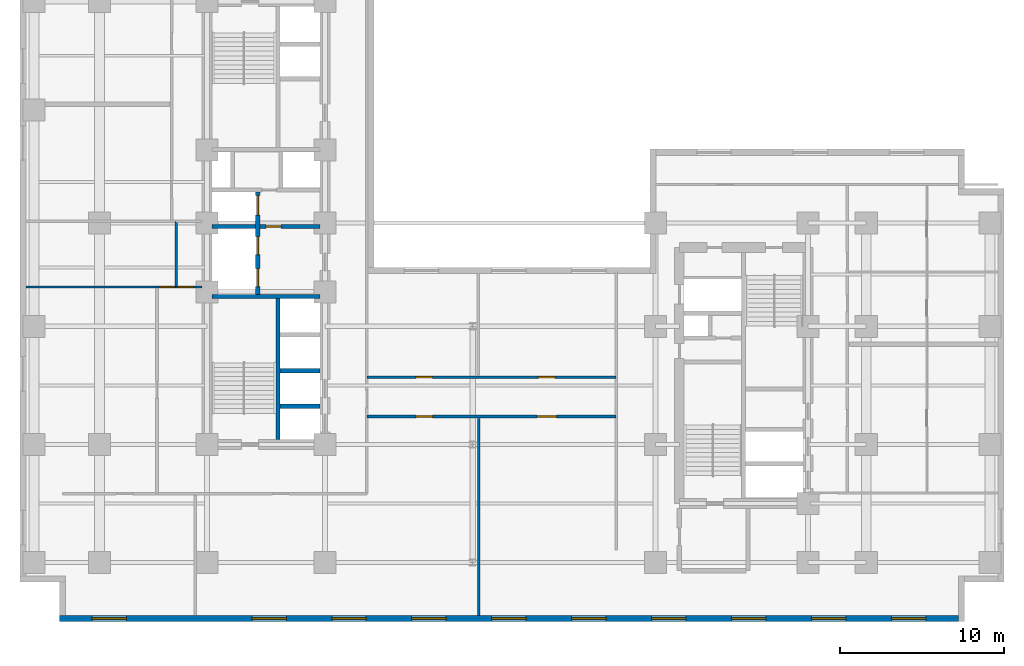
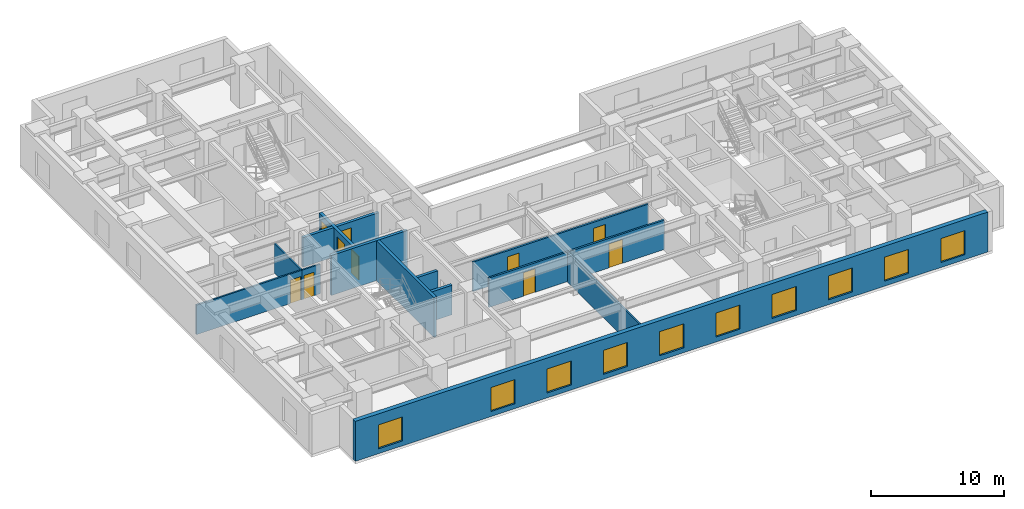
# One storey, part 3 of 9: 13 walls, 10 doors, 10 windows, 20 openings.
"""IFC4 building model written with IfcOpenShell, lengths in metres."""

from ifc_helpers import new_model, entity, si_unit, converted_unit, direction, frame, origin_with_axes, origin_2d_with_axis, place, context, subcontext, project, spatial, polyline, rectangle, outline, extrude, material, layer, layer_set, type_object, element, fill, save


model = new_model("IFC4")

# Units and contexts
model_context = context("Model", 3, precision=1e-05, world=origin_with_axes(), true_north=direction((0.0, 1.0)))
body_context = subcontext(model_context, "Body", "Model", "MODEL_VIEW")
ifc_project = project(units=[si_unit("LENGTHUNIT", "METRE"), si_unit("AREAUNIT", "SQUARE_METRE"), si_unit("VOLUMEUNIT", "CUBIC_METRE"), converted_unit("PLANEANGLEUNIT", "DEGREE", entity("IfcPlaneAngleMeasure", 0.017453292519943295), si_unit("PLANEANGLEUNIT", "RADIAN"), dimensions=[0, 0, 0, 0, 0, 0, 0]), si_unit("MASSUNIT", "GRAM", prefix="KILO"), si_unit("THERMODYNAMICTEMPERATUREUNIT", "KELVIN")], contexts=[model_context])

# Site, building, storey
site_placement = place(None, origin_with_axes())
site = spatial("IfcSite", under=ifc_project, at=site_placement, CompositionType="ELEMENT")
building_placement = place(site_placement, origin_with_axes())
building = spatial("IfcBuilding", under=site, at=building_placement, Name="Varnlund Millrace Tower", CompositionType="ELEMENT")
storey_placement = place(building_placement, frame((0.0, 0.0, 36.6), z_axis=(0.0, 0.0, 1.0), x_axis=(1.0, 0.0, 0.0)))
storey = spatial("IfcBuildingStorey", under=building, at=storey_placement, Name="L08", CompositionType="ELEMENT", Elevation=36.6)

# Wall, openings, windows
ifc_material_1 = material(Name="Precast concrete C50/60", Category="concrete")
ifc_layer_1 = layer(ifc_material_1, 0.38, Name="Precast concrete C50/60")
ifc_layer_set_1 = layer_set([ifc_layer_1], Name="Precast concrete C50/60")
wall_type_1 = type_object("IfcWallType", Name="Type-ExtWall-Precast-Tube-380", PredefinedType="SOLIDWALL", material=ifc_layer_set_1)
wall_1_placement = place(storey_placement, frame((57.22, 0.19, 0.0), z_axis=(0.0, 0.0, 1.0), x_axis=(-1.0, 0.0, 0.0)))
wall_1 = element("IfcWall", 1, at=wall_1_placement, inside=storey, type_object=wall_type_1, Name="Type-ExtWall-Precast-Tube-380", PredefinedType="SOLIDWALL", context=body_context, shape_type="SweptSolid", body=[
    extrude(outline(polyline([(0.0, -0.19), (54.82, -0.19), (54.82, 0.19), (0.0, 0.19), (0.0, -0.19)])), origin_with_axes(), (0.0, 0.0, 1.0), 3.66),
])
opening_1_placement = place(wall_1_placement, frame((3.037, 0.0, 0.45), z_axis=(0.0, 0.0, 1.0), x_axis=(1.0, 0.0, 0.0)))
opening_1 = element("IfcOpeningElement", 2, at=opening_1_placement, cuts=wall_1, Name="Opening L08:WN-05", PredefinedType="OPENING", context=body_context, shape_type="SweptSolid", body=[
    extrude(rectangle(XDim=2.1, YDim=0.4, at=origin_2d_with_axis()), origin_with_axes(), (0.0, 0.0, 1.0), 2.2),
])
opening_2_placement = place(wall_1_placement, frame((7.912, 0.0, 0.45), z_axis=(0.0, 0.0, 1.0), x_axis=(1.0, 0.0, 0.0)))
opening_2 = element("IfcOpeningElement", 3, at=opening_2_placement, cuts=wall_1, Name="Opening L08:WN-06", PredefinedType="OPENING", context=body_context, shape_type="SweptSolid", body=[
    extrude(rectangle(XDim=2.1, YDim=0.4, at=origin_2d_with_axis()), origin_with_axes(), (0.0, 0.0, 1.0), 2.2),
])
opening_3_placement = place(wall_1_placement, frame((12.786, 0.0, 0.45), z_axis=(0.0, 0.0, 1.0), x_axis=(1.0, 0.0, 0.0)))
opening_3 = element("IfcOpeningElement", 4, at=opening_3_placement, cuts=wall_1, Name="Opening L08:WN-07", PredefinedType="OPENING", context=body_context, shape_type="SweptSolid", body=[
    extrude(rectangle(XDim=2.1, YDim=0.4, at=origin_2d_with_axis()), origin_with_axes(), (0.0, 0.0, 1.0), 2.2),
])
opening_4_placement = place(wall_1_placement, frame((17.661, 0.0, 0.45), z_axis=(0.0, 0.0, 1.0), x_axis=(1.0, 0.0, 0.0)))
opening_4 = element("IfcOpeningElement", 5, at=opening_4_placement, cuts=wall_1, Name="Opening L08:WN-08", PredefinedType="OPENING", context=body_context, shape_type="SweptSolid", body=[
    extrude(rectangle(XDim=2.1, YDim=0.4, at=origin_2d_with_axis()), origin_with_axes(), (0.0, 0.0, 1.0), 2.2),
])
opening_5_placement = place(wall_1_placement, frame((22.535, 0.0, 0.45), z_axis=(0.0, 0.0, 1.0), x_axis=(1.0, 0.0, 0.0)))
opening_5 = element("IfcOpeningElement", 6, at=opening_5_placement, cuts=wall_1, Name="Opening L08:WN-09", PredefinedType="OPENING", context=body_context, shape_type="SweptSolid", body=[
    extrude(rectangle(XDim=2.1, YDim=0.4, at=origin_2d_with_axis()), origin_with_axes(), (0.0, 0.0, 1.0), 2.2),
])
opening_6_placement = place(wall_1_placement, frame((27.41, 0.0, 0.45), z_axis=(0.0, 0.0, 1.0), x_axis=(1.0, 0.0, 0.0)))
opening_6 = element("IfcOpeningElement", 7, at=opening_6_placement, cuts=wall_1, Name="Opening L08:WN-10", PredefinedType="OPENING", context=body_context, shape_type="SweptSolid", body=[
    extrude(rectangle(XDim=2.1, YDim=0.4, at=origin_2d_with_axis()), origin_with_axes(), (0.0, 0.0, 1.0), 2.2),
])
opening_7_placement = place(wall_1_placement, frame((32.285, 0.0, 0.45), z_axis=(0.0, 0.0, 1.0), x_axis=(1.0, 0.0, 0.0)))
opening_7 = element("IfcOpeningElement", 8, at=opening_7_placement, cuts=wall_1, Name="Opening L08:WN-11", PredefinedType="OPENING", context=body_context, shape_type="SweptSolid", body=[
    extrude(rectangle(XDim=2.1, YDim=0.4, at=origin_2d_with_axis()), origin_with_axes(), (0.0, 0.0, 1.0), 2.2),
])
opening_8_placement = place(wall_1_placement, frame((37.159, 0.0, 0.45), z_axis=(0.0, 0.0, 1.0), x_axis=(1.0, 0.0, 0.0)))
opening_8 = element("IfcOpeningElement", 9, at=opening_8_placement, cuts=wall_1, Name="Opening L08:WN-12", PredefinedType="OPENING", context=body_context, shape_type="SweptSolid", body=[
    extrude(rectangle(XDim=2.1, YDim=0.4, at=origin_2d_with_axis()), origin_with_axes(), (0.0, 0.0, 1.0), 2.2),
])
opening_9_placement = place(wall_1_placement, frame((42.034, 0.0, 0.45), z_axis=(0.0, 0.0, 1.0), x_axis=(1.0, 0.0, 0.0)))
opening_9 = element("IfcOpeningElement", 10, at=opening_9_placement, cuts=wall_1, Name="Opening L08:WN-13", PredefinedType="OPENING", context=body_context, shape_type="SweptSolid", body=[
    extrude(rectangle(XDim=2.1, YDim=0.4, at=origin_2d_with_axis()), origin_with_axes(), (0.0, 0.0, 1.0), 2.2),
])
opening_10_placement = place(wall_1_placement, frame((51.783, 0.0, 0.45), z_axis=(0.0, 0.0, 1.0), x_axis=(1.0, 0.0, 0.0)))
opening_10 = element("IfcOpeningElement", 11, at=opening_10_placement, cuts=wall_1, Name="Opening L08:WN-14", PredefinedType="OPENING", context=body_context, shape_type="SweptSolid", body=[
    extrude(rectangle(XDim=2.1, YDim=0.4, at=origin_2d_with_axis()), origin_with_axes(), (0.0, 0.0, 1.0), 2.2),
])
ifc_material_2 = material(Name="Argon low-e triple glazing in thermally broken bronze frame", Category="glass")
window_type = type_object("IfcWindowType", Name="Type-Window-Punched-2100X2200", PartitioningType="SINGLE_PANEL", PredefinedType="WINDOW", material=ifc_material_2)
window_1_placement = place(wall_1_placement, frame((3.037, 0.0, 0.45), z_axis=(0.0, 0.0, 1.0), x_axis=(1.0, 0.0, 0.0)))
window_1 = element("IfcWindow", 12, at=window_1_placement, inside=storey, type_object=window_type, Name="Type-Window-Punched-2100X2200", OverallHeight=2.2, OverallWidth=2.1, PredefinedType="WINDOW", context=body_context, shape_type="SweptSolid", body=[
    extrude(rectangle(XDim=2.1, YDim=0.09, at=origin_2d_with_axis()), origin_with_axes(), (0.0, 0.0, 1.0), 2.2),
])
fill(opening_1, window_1)
window_2_placement = place(wall_1_placement, frame((7.912, 0.0, 0.45), z_axis=(0.0, 0.0, 1.0), x_axis=(1.0, 0.0, 0.0)))
window_2 = element("IfcWindow", 13, at=window_2_placement, inside=storey, type_object=window_type, Name="Type-Window-Punched-2100X2200", OverallHeight=2.2, OverallWidth=2.1, PredefinedType="WINDOW", context=body_context, shape_type="SweptSolid", body=[
    extrude(rectangle(XDim=2.1, YDim=0.09, at=origin_2d_with_axis()), origin_with_axes(), (0.0, 0.0, 1.0), 2.2),
])
fill(opening_2, window_2)
window_3_placement = place(wall_1_placement, frame((12.786, 0.0, 0.45), z_axis=(0.0, 0.0, 1.0), x_axis=(1.0, 0.0, 0.0)))
window_3 = element("IfcWindow", 14, at=window_3_placement, inside=storey, type_object=window_type, Name="Type-Window-Punched-2100X2200", OverallHeight=2.2, OverallWidth=2.1, PredefinedType="WINDOW", context=body_context, shape_type="SweptSolid", body=[
    extrude(rectangle(XDim=2.1, YDim=0.09, at=origin_2d_with_axis()), origin_with_axes(), (0.0, 0.0, 1.0), 2.2),
])
fill(opening_3, window_3)
window_4_placement = place(wall_1_placement, frame((17.661, 0.0, 0.45), z_axis=(0.0, 0.0, 1.0), x_axis=(1.0, 0.0, 0.0)))
window_4 = element("IfcWindow", 15, at=window_4_placement, inside=storey, type_object=window_type, Name="Type-Window-Punched-2100X2200", OverallHeight=2.2, OverallWidth=2.1, PredefinedType="WINDOW", context=body_context, shape_type="SweptSolid", body=[
    extrude(rectangle(XDim=2.1, YDim=0.09, at=origin_2d_with_axis()), origin_with_axes(), (0.0, 0.0, 1.0), 2.2),
])
fill(opening_4, window_4)
window_5_placement = place(wall_1_placement, frame((22.535, 0.0, 0.45), z_axis=(0.0, 0.0, 1.0), x_axis=(1.0, 0.0, 0.0)))
window_5 = element("IfcWindow", 16, at=window_5_placement, inside=storey, type_object=window_type, Name="Type-Window-Punched-2100X2200", OverallHeight=2.2, OverallWidth=2.1, PredefinedType="WINDOW", context=body_context, shape_type="SweptSolid", body=[
    extrude(rectangle(XDim=2.1, YDim=0.09, at=origin_2d_with_axis()), origin_with_axes(), (0.0, 0.0, 1.0), 2.2),
])
fill(opening_5, window_5)
window_6_placement = place(wall_1_placement, frame((27.41, 0.0, 0.45), z_axis=(0.0, 0.0, 1.0), x_axis=(1.0, 0.0, 0.0)))
window_6 = element("IfcWindow", 17, at=window_6_placement, inside=storey, type_object=window_type, Name="Type-Window-Punched-2100X2200", OverallHeight=2.2, OverallWidth=2.1, PredefinedType="WINDOW", context=body_context, shape_type="SweptSolid", body=[
    extrude(rectangle(XDim=2.1, YDim=0.09, at=origin_2d_with_axis()), origin_with_axes(), (0.0, 0.0, 1.0), 2.2),
])
fill(opening_6, window_6)
window_7_placement = place(wall_1_placement, frame((32.285, 0.0, 0.45), z_axis=(0.0, 0.0, 1.0), x_axis=(1.0, 0.0, 0.0)))
window_7 = element("IfcWindow", 18, at=window_7_placement, inside=storey, type_object=window_type, Name="Type-Window-Punched-2100X2200", OverallHeight=2.2, OverallWidth=2.1, PredefinedType="WINDOW", context=body_context, shape_type="SweptSolid", body=[
    extrude(rectangle(XDim=2.1, YDim=0.09, at=origin_2d_with_axis()), origin_with_axes(), (0.0, 0.0, 1.0), 2.2),
])
fill(opening_7, window_7)
window_8_placement = place(wall_1_placement, frame((37.159, 0.0, 0.45), z_axis=(0.0, 0.0, 1.0), x_axis=(1.0, 0.0, 0.0)))
window_8 = element("IfcWindow", 19, at=window_8_placement, inside=storey, type_object=window_type, Name="Type-Window-Punched-2100X2200", OverallHeight=2.2, OverallWidth=2.1, PredefinedType="WINDOW", context=body_context, shape_type="SweptSolid", body=[
    extrude(rectangle(XDim=2.1, YDim=0.09, at=origin_2d_with_axis()), origin_with_axes(), (0.0, 0.0, 1.0), 2.2),
])
fill(opening_8, window_8)
window_9_placement = place(wall_1_placement, frame((42.034, 0.0, 0.45), z_axis=(0.0, 0.0, 1.0), x_axis=(1.0, 0.0, 0.0)))
window_9 = element("IfcWindow", 20, at=window_9_placement, inside=storey, type_object=window_type, Name="Type-Window-Punched-2100X2200", OverallHeight=2.2, OverallWidth=2.1, PredefinedType="WINDOW", context=body_context, shape_type="SweptSolid", body=[
    extrude(rectangle(XDim=2.1, YDim=0.09, at=origin_2d_with_axis()), origin_with_axes(), (0.0, 0.0, 1.0), 2.2),
])
fill(opening_9, window_9)
window_10_placement = place(wall_1_placement, frame((51.783, 0.0, 0.45), z_axis=(0.0, 0.0, 1.0), x_axis=(1.0, 0.0, 0.0)))
window_10 = element("IfcWindow", 21, at=window_10_placement, inside=storey, type_object=window_type, Name="Type-Window-Punched-2100X2200", OverallHeight=2.2, OverallWidth=2.1, PredefinedType="WINDOW", context=body_context, shape_type="SweptSolid", body=[
    extrude(rectangle(XDim=2.1, YDim=0.09, at=origin_2d_with_axis()), origin_with_axes(), (0.0, 0.0, 1.0), 2.2),
])
fill(opening_10, window_10)

# Wall, openings, doors
ifc_material_3 = material(Name="Fire-rated gypsum board on cold-formed steel framing", Category="steel")
ifc_layer_2 = layer(ifc_material_3, 0.16, Name="Fire-rated gypsum board on cold-formed steel framing")
ifc_layer_set_2 = layer_set([ifc_layer_2], Name="Fire-rated gypsum board on cold-formed steel framing")
wall_type_2 = type_object("IfcWallType", Name="Type-Partition-Corridor-160", PredefinedType="PARTITIONING", material=ifc_layer_set_2)
wall_2_placement = place(storey_placement, frame((21.15, 12.5, 0.0), z_axis=(0.0, 0.0, 1.0), x_axis=(1.0, 0.0, 0.0)))
wall_2 = element("IfcWall", 22, at=wall_2_placement, inside=storey, type_object=wall_type_2, Name="Type-Partition-Corridor-160", PredefinedType="PARTITIONING", context=body_context, shape_type="SweptSolid", body=[
    extrude(outline(polyline([(0.0, -0.08), (15.2, -0.08), (15.2, 0.08), (0.0, 0.08), (0.0, -0.08)])), origin_with_axes(), (0.0, 0.0, 1.0), 2.7),
])
opening_11_placement = place(wall_2_placement, frame((3.508, 0.0, 0.0), z_axis=(0.0, 0.0, 1.0), x_axis=(1.0, 0.0, 0.0)))
opening_11 = element("IfcOpeningElement", 23, at=opening_11_placement, cuts=wall_2, Name="Opening L08:DR-KNS-01", PredefinedType="OPENING", context=body_context, shape_type="SweptSolid", body=[
    extrude(rectangle(XDim=1.0, YDim=0.18, at=origin_2d_with_axis()), origin_with_axes(), (0.0, 0.0, 1.0), 2.15),
])
opening_12_placement = place(wall_2_placement, frame((10.978, 0.0, 0.0), z_axis=(0.0, 0.0, 1.0), x_axis=(1.0, 0.0, 0.0)))
opening_12 = element("IfcOpeningElement", 24, at=opening_12_placement, cuts=wall_2, Name="Opening L08:DR-KNS-02", PredefinedType="OPENING", context=body_context, shape_type="SweptSolid", body=[
    extrude(rectangle(XDim=1.2, YDim=0.18, at=origin_2d_with_axis()), origin_with_axes(), (0.0, 0.0, 1.0), 2.2),
])
ifc_material_4 = material(Name="Wide executive white oak acoustic door")
door_type_1 = type_object("IfcDoorType", Name="Type-IntDoor-Exec-1200X2200", OperationType="NOTDEFINED", PredefinedType="DOOR", material=ifc_material_4)
door_1_placement = place(wall_2_placement, frame((10.978, 0.0, 0.0), z_axis=(0.0, 0.0, 1.0), x_axis=(1.0, 0.0, 0.0)))
door_1 = element("IfcDoor", 25, at=door_1_placement, inside=storey, type_object=door_type_1, Name="Type-IntDoor-Exec-1200X2200", OperationType="SINGLE_SWING_RIGHT", OverallHeight=2.2, OverallWidth=1.2, PredefinedType="DOOR", context=body_context, shape_type="SweptSolid", body=[
    extrude(rectangle(XDim=1.2, YDim=0.09, at=origin_2d_with_axis()), origin_with_axes(), (0.0, 0.0, 1.0), 2.2),
])
fill(opening_12, door_1)
ifc_material_5 = material(Name="Solid-core white oak and bronze frame door")
door_type_2 = type_object("IfcDoorType", Name="Type-IntDoor-Office-1000X2150", OperationType="NOTDEFINED", PredefinedType="DOOR", material=ifc_material_5)
door_2_placement = place(wall_2_placement, frame((3.508, 0.0, 0.0), z_axis=(0.0, 0.0, 1.0), x_axis=(1.0, 0.0, 0.0)))
door_2 = element("IfcDoor", 26, at=door_2_placement, inside=storey, type_object=door_type_2, Name="Type-IntDoor-Office-1000X2150", OperationType="SINGLE_SWING_LEFT", OverallHeight=2.15, OverallWidth=1.0, PredefinedType="DOOR", context=body_context, shape_type="SweptSolid", body=[
    extrude(rectangle(XDim=1.0, YDim=0.09, at=origin_2d_with_axis()), origin_with_axes(), (0.0, 0.0, 1.0), 2.15),
])
fill(opening_11, door_2)

wall_3_placement = place(storey_placement, frame((21.15, 14.9, 0.0), z_axis=(0.0, 0.0, 1.0), x_axis=(1.0, 0.0, 0.0)))
wall_3 = element("IfcWall", 27, at=wall_3_placement, inside=storey, type_object=wall_type_2, Name="Type-Partition-Corridor-160", PredefinedType="PARTITIONING", context=body_context, shape_type="SweptSolid", body=[
    extrude(outline(polyline([(0.0, -0.08), (15.2, -0.08), (15.2, 0.08), (0.0, 0.08), (0.0, -0.08)])), origin_with_axes(), (0.0, 0.0, 1.0), 2.7),
])
opening_13_placement = place(wall_3_placement, frame((3.4895, 0.0, 0.0), z_axis=(0.0, 0.0, 1.0), x_axis=(1.0, 0.0, 0.0)))
opening_13 = element("IfcOpeningElement", 28, at=opening_13_placement, cuts=wall_3, Name="Opening L08:DR-KN-01", PredefinedType="OPENING", context=body_context, shape_type="SweptSolid", body=[
    extrude(rectangle(XDim=1.0, YDim=0.18, at=origin_2d_with_axis()), origin_with_axes(), (0.0, 0.0, 1.0), 2.15),
])
opening_14_placement = place(wall_3_placement, frame((10.9595, 0.0, 0.0), z_axis=(0.0, 0.0, 1.0), x_axis=(1.0, 0.0, 0.0)))
opening_14 = element("IfcOpeningElement", 29, at=opening_14_placement, cuts=wall_3, Name="Opening L08:DR-KN-02", PredefinedType="OPENING", context=body_context, shape_type="SweptSolid", body=[
    extrude(rectangle(XDim=1.0, YDim=0.18, at=origin_2d_with_axis()), origin_with_axes(), (0.0, 0.0, 1.0), 2.15),
])
door_3_placement = place(wall_3_placement, frame((3.4895, 0.0, 0.0), z_axis=(0.0, 0.0, 1.0), x_axis=(1.0, 0.0, 0.0)))
door_3 = element("IfcDoor", 30, at=door_3_placement, inside=storey, type_object=door_type_2, Name="Type-IntDoor-Office-1000X2150", OperationType="SINGLE_SWING_LEFT", OverallHeight=2.15, OverallWidth=1.0, PredefinedType="DOOR", context=body_context, shape_type="SweptSolid", body=[
    extrude(rectangle(XDim=1.0, YDim=0.09, at=origin_2d_with_axis()), origin_with_axes(), (0.0, 0.0, 1.0), 2.15),
])
fill(opening_13, door_3)
door_4_placement = place(wall_3_placement, frame((10.9595, 0.0, 0.0), z_axis=(0.0, 0.0, 1.0), x_axis=(1.0, 0.0, 0.0)))
door_4 = element("IfcDoor", 31, at=door_4_placement, inside=storey, type_object=door_type_2, Name="Type-IntDoor-Office-1000X2150", OperationType="SINGLE_SWING_RIGHT", OverallHeight=2.15, OverallWidth=1.0, PredefinedType="DOOR", context=body_context, shape_type="SweptSolid", body=[
    extrude(rectangle(XDim=1.0, YDim=0.09, at=origin_2d_with_axis()), origin_with_axes(), (0.0, 0.0, 1.0), 2.15),
])
fill(opening_14, door_4)

# Walls
ifc_material_6 = material(Name="Acoustic STC-50 gypsum board partition", Category="gypsum")
ifc_layer_3 = layer(ifc_material_6, 0.15, Name="Acoustic STC-50 gypsum board partition")
ifc_layer_set_3 = layer_set([ifc_layer_3], Name="Acoustic STC-50 gypsum board partition")
wall_type_3 = type_object("IfcWallType", Name="Type-Partition-Demising-150", PredefinedType="PARTITIONING", material=ifc_layer_set_3)
wall_4_placement = place(storey_placement, frame((27.986, 0.36, 0.0), z_axis=(0.0, 0.0, 1.0), x_axis=(0.0, 1.0, 0.0)))
element("IfcWall", 32, at=wall_4_placement, inside=storey, type_object=wall_type_3, Name="Type-Partition-Demising-150", PredefinedType="PARTITIONING", context=body_context, shape_type="SweptSolid", body=[
    extrude(outline(polyline([(0.0, -0.075), (12.02, -0.075), (12.02, 0.075), (0.0, 0.075), (0.0, -0.075)])), origin_with_axes(), (0.0, 0.0, 1.0), 2.7),
])
ifc_material_7 = material(Name="Moisture-resistant gypsum restroom partition", Category="gypsum")
ifc_layer_4 = layer(ifc_material_7, 0.14, Name="Moisture-resistant gypsum restroom partition")
ifc_layer_set_4 = layer_set([ifc_layer_4], Name="Moisture-resistant gypsum restroom partition")
wall_type_4 = type_object("IfcWallType", Name="Type-Partition-Wet-140", PredefinedType="PARTITIONING", material=ifc_layer_set_4)
wall_5_placement = place(storey_placement, frame((9.52, 20.4, 0.0), z_axis=(0.0, 0.0, 1.0), x_axis=(0.0, 1.0, 0.0)))
element("IfcWall", 33, at=wall_5_placement, inside=storey, type_object=wall_type_4, Name="Type-Partition-Wet-140", PredefinedType="PARTITIONING", context=body_context, shape_type="SweptSolid", body=[
    extrude(outline(polyline([(0.0, -0.07), (4.0, -0.07), (4.0, 0.07), (0.0, 0.07), (0.0, -0.07)])), origin_with_axes(), (0.0, 0.0, 1.0), 2.7),
])

# Wall, opening, door
wall_6_placement = place(storey_placement, frame((9.52, 20.4, 0.0), z_axis=(0.0, 0.0, 1.0), x_axis=(1.0, 0.0, 0.0)))
wall_6 = element("IfcWall", 34, at=wall_6_placement, inside=storey, type_object=wall_type_4, Name="Type-Partition-Wet-140", PredefinedType="PARTITIONING", context=body_context, shape_type="SweptSolid", body=[
    extrude(outline(polyline([(0.0, -0.07), (1.58, -0.07), (1.58, 0.07), (0.0, 0.07), (0.0, -0.07)])), origin_with_axes(), (0.0, 0.0, 1.0), 2.7),
])
opening_15_placement = place(wall_6_placement, frame((0.59, 0.0, 0.0), z_axis=(0.0, 0.0, 1.0), x_axis=(1.0, 0.0, 0.0)))
opening_15 = element("IfcOpeningElement", 35, at=opening_15_placement, cuts=wall_6, Name="Opening L08:DR-CA-WCW", PredefinedType="OPENING", context=body_context, shape_type="SweptSolid", body=[
    extrude(rectangle(XDim=0.9, YDim=0.16, at=origin_2d_with_axis()), origin_with_axes(), (0.0, 0.0, 1.0), 2.15),
])
ifc_material_8 = material(Name="Painted steel riser and closet door", Category="steel")
door_type_3 = type_object("IfcDoorType", Name="Type-IntDoor-Closet-900X2150", OperationType="NOTDEFINED", PredefinedType="DOOR", material=ifc_material_8)
door_5_placement = place(wall_6_placement, frame((0.59, 0.0, 0.0), z_axis=(0.0, 0.0, 1.0), x_axis=(1.0, 0.0, 0.0)))
door_5 = element("IfcDoor", 36, at=door_5_placement, inside=storey, type_object=door_type_3, Name="Type-IntDoor-Closet-900X2150", OperationType="SINGLE_SWING_LEFT", OverallHeight=2.15, OverallWidth=0.9, PredefinedType="DOOR", context=body_context, shape_type="SweptSolid", body=[
    extrude(rectangle(XDim=0.9, YDim=0.084, at=origin_2d_with_axis()), origin_with_axes(), (0.0, 0.0, 1.0), 2.15),
])
fill(opening_15, door_5)

wall_7_placement = place(storey_placement, frame((0.36, 20.4, 0.0), z_axis=(0.0, 0.0, 1.0), x_axis=(1.0, 0.0, 0.0)))
wall_7 = element("IfcWall", 37, at=wall_7_placement, inside=storey, type_object=wall_type_4, Name="Type-Partition-Wet-140", PredefinedType="PARTITIONING", context=body_context, shape_type="SweptSolid", body=[
    extrude(outline(polyline([(0.0, -0.07), (9.16, -0.07), (9.16, 0.07), (0.0, 0.07), (0.0, -0.07)])), origin_with_axes(), (0.0, 0.0, 1.0), 2.7),
])
opening_16_placement = place(wall_7_placement, frame((8.59, 0.0, 0.0), z_axis=(0.0, 0.0, 1.0), x_axis=(1.0, 0.0, 0.0)))
opening_16 = element("IfcOpeningElement", 38, at=opening_16_placement, cuts=wall_7, Name="Opening L08:DR-W-MIDR", PredefinedType="OPENING", context=body_context, shape_type="SweptSolid", body=[
    extrude(rectangle(XDim=0.9, YDim=0.16, at=origin_2d_with_axis()), origin_with_axes(), (0.0, 0.0, 1.0), 2.15),
])
door_6_placement = place(wall_7_placement, frame((8.59, 0.0, 0.0), z_axis=(0.0, 0.0, 1.0), x_axis=(1.0, 0.0, 0.0)))
door_6 = element("IfcDoor", 39, at=door_6_placement, inside=storey, type_object=door_type_3, Name="Type-IntDoor-Closet-900X2150", OperationType="SINGLE_SWING_LEFT", OverallHeight=2.15, OverallWidth=0.9, PredefinedType="DOOR", context=body_context, shape_type="SweptSolid", body=[
    extrude(rectangle(XDim=0.9, YDim=0.084, at=origin_2d_with_axis()), origin_with_axes(), (0.0, 0.0, 1.0), 2.15),
])
fill(opening_16, door_6)

# Wall, openings, doors
ifc_material_9 = material(Name="Concrete C60/75", Category="concrete")
ifc_layer_5 = layer(ifc_material_9, 0.25, Name="Concrete C60/75")
ifc_layer_set_5 = layer_set([ifc_layer_5], Name="Concrete C60/75")
wall_type_5 = type_object("IfcWallType", Name="Type-ShaftWall-Fire-250", PredefinedType="SOLIDWALL", material=ifc_layer_set_5)
wall_8_placement = place(storey_placement, frame((14.5, 19.95, 0.0), z_axis=(0.0, 0.0, 1.0), x_axis=(0.0, 1.0, 0.0)))
wall_8 = element("IfcWall", 40, at=wall_8_placement, inside=storey, type_object=wall_type_5, Name="Type-ShaftWall-Fire-250", PredefinedType="SOLIDWALL", context=body_context, shape_type="SweptSolid", body=[
    extrude(outline(polyline([(0.0, -0.125), (6.25, -0.125), (6.25, 0.125), (0.0, 0.125), (0.0, -0.125)])), origin_with_axes(), (0.0, 0.0, 1.0), 2.7),
])
opening_17_placement = place(wall_8_placement, frame((1.025, 0.0, 0.0), z_axis=(0.0, 0.0, 1.0), x_axis=(1.0, 0.0, 0.0)))
opening_17 = element("IfcOpeningElement", 41, at=opening_17_placement, cuts=wall_8, Name="Opening L08:LD-FSAE1", PredefinedType="OPENING", context=body_context, shape_type="SweptSolid", body=[
    extrude(rectangle(XDim=1.1, YDim=0.27, at=origin_2d_with_axis()), origin_with_axes(), (0.0, 0.0, 1.0), 2.15),
])
opening_18_placement = place(wall_8_placement, frame((2.975, 0.0, 0.0), z_axis=(0.0, 0.0, 1.0), x_axis=(1.0, 0.0, 0.0)))
opening_18 = element("IfcOpeningElement", 42, at=opening_18_placement, cuts=wall_8, Name="Opening L08:LD-FSAE2", PredefinedType="OPENING", context=body_context, shape_type="SweptSolid", body=[
    extrude(rectangle(XDim=1.1, YDim=0.27, at=origin_2d_with_axis()), origin_with_axes(), (0.0, 0.0, 1.0), 2.15),
])
opening_19_placement = place(wall_8_placement, frame((5.425, 0.0, 0.0), z_axis=(0.0, 0.0, 1.0), x_axis=(1.0, 0.0, 0.0)))
opening_19 = element("IfcOpeningElement", 43, at=opening_19_placement, cuts=wall_8, Name="Opening L08:LD-SRV1", PredefinedType="OPENING", context=body_context, shape_type="SweptSolid", body=[
    extrude(rectangle(XDim=1.2, YDim=0.27, at=origin_2d_with_axis()), origin_with_axes(), (0.0, 0.0, 1.0), 2.15),
])
ifc_material_10 = material(Name="Stainless and architectural bronze sliding landing door")
door_type_4 = type_object("IfcDoorType", Name="Type-LiftLandingDoor-1100X2150", OperationType="NOTDEFINED", PredefinedType="DOOR", material=ifc_material_10)
door_7_placement = place(wall_8_placement, frame((1.025, 0.0, 0.0), z_axis=(0.0, 0.0, 1.0), x_axis=(1.0, 0.0, 0.0)))
door_7 = element("IfcDoor", 44, at=door_7_placement, inside=storey, type_object=door_type_4, Name="Type-LiftLandingDoor-1100X2150", OperationType="SLIDING_TO_LEFT", OverallHeight=2.15, OverallWidth=1.1, PredefinedType="DOOR", context=body_context, shape_type="SweptSolid", body=[
    extrude(rectangle(XDim=1.1, YDim=0.09, at=origin_2d_with_axis()), origin_with_axes(), (0.0, 0.0, 1.0), 2.15),
])
fill(opening_17, door_7)
door_8_placement = place(wall_8_placement, frame((2.975, 0.0, 0.0), z_axis=(0.0, 0.0, 1.0), x_axis=(1.0, 0.0, 0.0)))
door_8 = element("IfcDoor", 45, at=door_8_placement, inside=storey, type_object=door_type_4, Name="Type-LiftLandingDoor-1100X2150", OperationType="SLIDING_TO_RIGHT", OverallHeight=2.15, OverallWidth=1.1, PredefinedType="DOOR", context=body_context, shape_type="SweptSolid", body=[
    extrude(rectangle(XDim=1.1, YDim=0.09, at=origin_2d_with_axis()), origin_with_axes(), (0.0, 0.0, 1.0), 2.15),
])
fill(opening_18, door_8)
ifc_material_11 = material(Name="Heavy-duty freight sliding landing door")
door_type_5 = type_object("IfcDoorType", Name="Type-LiftLandingDoor-Service-1200X2150", OperationType="NOTDEFINED", PredefinedType="DOOR", material=ifc_material_11)
door_9_placement = place(wall_8_placement, frame((5.425, 0.0, 0.0), z_axis=(0.0, 0.0, 1.0), x_axis=(1.0, 0.0, 0.0)))
door_9 = element("IfcDoor", 46, at=door_9_placement, inside=storey, type_object=door_type_5, Name="Type-LiftLandingDoor-Service-1200X2150", OperationType="DOUBLE_DOOR_SLIDING", OverallHeight=2.15, OverallWidth=1.2, PredefinedType="DOOR", context=body_context, shape_type="SweptSolid", body=[
    extrude(rectangle(XDim=1.2, YDim=0.09, at=origin_2d_with_axis()), origin_with_axes(), (0.0, 0.0, 1.0), 2.15),
])
fill(opening_19, door_9)

# Wall, opening, door
wall_9_placement = place(storey_placement, frame((11.7, 24.1, 0.0), z_axis=(0.0, 0.0, 1.0), x_axis=(1.0, 0.0, 0.0)))
wall_9 = element("IfcWall", 47, at=wall_9_placement, inside=storey, type_object=wall_type_5, Name="Type-ShaftWall-Fire-250", PredefinedType="SOLIDWALL", context=body_context, shape_type="SweptSolid", body=[
    extrude(outline(polyline([(0.0, -0.125), (6.6, -0.125), (6.6, 0.125), (0.0, 0.125), (0.0, -0.125)])), origin_with_axes(), (0.0, 0.0, 1.0), 2.7),
])
opening_20_placement = place(wall_9_placement, frame((3.75, 0.0, 0.0), z_axis=(0.0, 0.0, 1.0), x_axis=(1.0, 0.0, 0.0)))
opening_20 = element("IfcOpeningElement", 48, at=opening_20_placement, cuts=wall_9, Name="Opening L08:DR-CA-SRV1", PredefinedType="OPENING", context=body_context, shape_type="SweptSolid", body=[
    extrude(rectangle(XDim=0.9, YDim=0.27, at=origin_2d_with_axis()), origin_with_axes(), (0.0, 0.0, 1.0), 2.15),
])
ifc_material_12 = material(Name="Fire-rated hollow steel service closet door", Category="steel")
door_type_6 = type_object("IfcDoorType", Name="Type-FireDoor-Closet-900X2150", OperationType="NOTDEFINED", PredefinedType="DOOR", material=ifc_material_12)
door_10_placement = place(wall_9_placement, frame((3.75, 0.0, 0.0), z_axis=(0.0, 0.0, 1.0), x_axis=(1.0, 0.0, 0.0)))
door_10 = element("IfcDoor", 49, at=door_10_placement, inside=storey, type_object=door_type_6, Name="Type-FireDoor-Closet-900X2150", OperationType="SINGLE_SWING_LEFT", OverallHeight=2.15, OverallWidth=0.9, PredefinedType="DOOR", context=body_context, shape_type="SweptSolid", body=[
    extrude(rectangle(XDim=0.9, YDim=0.09, at=origin_2d_with_axis()), origin_with_axes(), (0.0, 0.0, 1.0), 2.15),
])
fill(opening_20, door_10)

# Walls
for number, where, z_axis, x_axis, name in (
    (50, (15.84, 13.13, 0.0), (0.0, 0.0, 1.0), (1.0, 0.0, 0.0), "Type-ShaftWall-Fire-250"),
    (51, (15.84, 15.29, 0.0), (0.0, 0.0, 1.0), (1.0, 0.0, 0.0), "Type-ShaftWall-Fire-250"),
):
    element("IfcWall", number, at=place(storey_placement, frame(where, z_axis=z_axis, x_axis=x_axis)), inside=storey, type_object=wall_type_5, Name=name, PredefinedType="SOLIDWALL", context=body_context, shape_type="SweptSolid", body=[
        extrude(outline(polyline([(0.0, -0.125), (2.46, -0.125), (2.46, 0.125), (0.0, 0.125), (0.0, -0.125)])), origin_with_axes(), (0.0, 0.0, 1.0), 2.7),
    ])
wall_type_6 = type_object("IfcWallType", Name="Type-StairWall-Shear-250", PredefinedType="SHEAR", material=ifc_layer_set_5)
wall_10_placement = place(storey_placement, frame((15.725, 11.1, 0.0), z_axis=(0.0, 0.0, 1.0), x_axis=(0.0, 1.0, 0.0)))
element("IfcWall", 52, at=wall_10_placement, inside=storey, type_object=wall_type_6, Name="Type-StairWall-Shear-250", PredefinedType="SHEAR", context=body_context, shape_type="SweptSolid", body=[
    extrude(outline(polyline([(0.0, -0.125), (8.6, -0.125), (8.6, 0.125), (0.0, 0.125), (0.0, -0.125)])), origin_with_axes(), (0.0, 0.0, 1.0), 3.66),
])
wall_11_placement = place(storey_placement, frame((11.7, 19.825, 0.0), z_axis=(0.0, 0.0, 1.0), x_axis=(1.0, 0.0, 0.0)))
element("IfcWall", 53, at=wall_11_placement, inside=storey, type_object=wall_type_6, Name="Type-StairWall-Shear-250", PredefinedType="SHEAR", context=body_context, shape_type="SweptSolid", body=[
    extrude(outline(polyline([(0.0, -0.125), (6.6, -0.125), (6.6, 0.125), (0.0, 0.125), (0.0, -0.125)])), origin_with_axes(), (0.0, 0.0, 1.0), 3.66),
])

save(model, "model.ifc")
